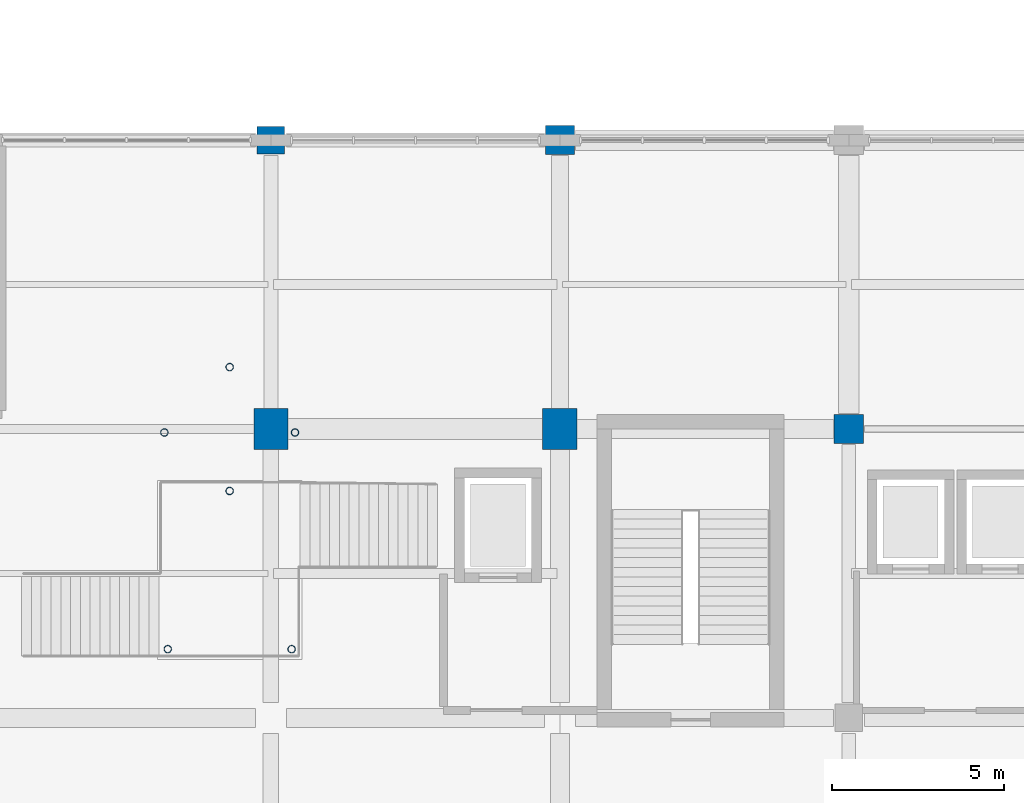
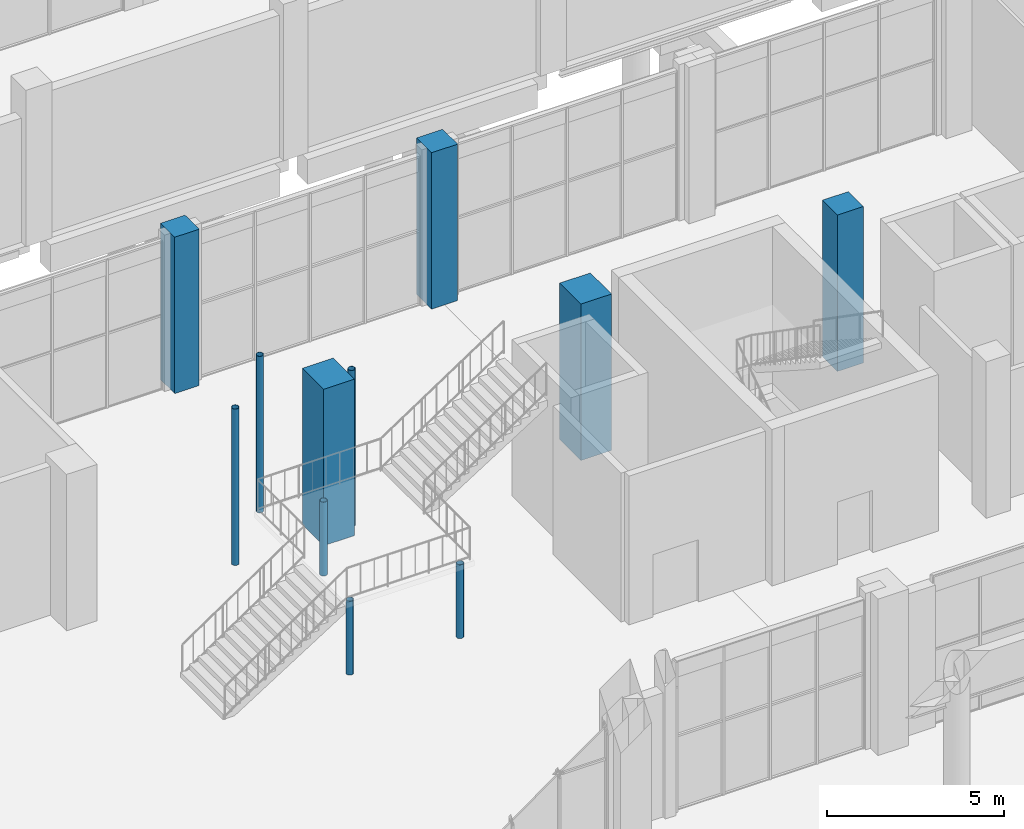
# One storey, part 10 of 82: 11 columns.
"""IFC4 building model written with IfcOpenShell, lengths in metres."""

from ifc_helpers import new_model, si_unit, derived_unit, direction, frame, origin, origin_2d, place, context, subcontext, project, spatial, rectangle, hollow_circle, extrude, material, material_profile, profile_set, type_object, element, save


model = new_model("IFC4")

# Units and contexts
model_context = context("Model", 3, precision=1e-05, world=origin(), true_north=direction((0.0, 1.0)))
body_context = subcontext(model_context, "Body", "Model", "MODEL_VIEW")
ifc_project = project(units=[si_unit("LENGTHUNIT", "METRE"), si_unit("AREAUNIT", "SQUARE_METRE"), si_unit("VOLUMEUNIT", "CUBIC_METRE"), si_unit("PLANEANGLEUNIT", "RADIAN"), si_unit("MASSUNIT", "GRAM", prefix="KILO"), derived_unit("THERMALTRANSMITTANCEUNIT", [(si_unit("POWERUNIT", "WATT"), 1), (si_unit("LENGTHUNIT", "METRE"), -2), (si_unit("THERMODYNAMICTEMPERATUREUNIT", "KELVIN"), -1)])], contexts=[model_context])

# Site, building, storey
site_placement = place(None, origin())
site = spatial("IfcSite", under=ifc_project, at=site_placement, CompositionType="ELEMENT")
building_placement = place(site_placement, origin())
building = spatial("IfcBuilding", under=site, at=building_placement, Name="Barrovel Congress Hotel", CompositionType="ELEMENT")
storey_placement = place(building_placement, origin())
storey = spatial("IfcBuildingStorey", under=building, at=storey_placement, Name="L00", CompositionType="ELEMENT", Elevation=0.0)

# Columns
ifc_material_1 = material(Name="Concrete C50", Category="concrete")
ifc_material_profile_1 = material_profile(ifc_material_1, rectangle(XDim=1.0, YDim=1.199951171875, at=origin_2d()), Name="RC1000x1200")
ifc_profile_set_1 = profile_set([ifc_material_profile_1], Name="Concrete C50")
column_type_1 = type_object("IfcColumnType", Name="COL-RC1000x1200", PredefinedType="COLUMN", material=ifc_profile_set_1)
for number, where, z_axis, x_axis, name in (
    (1, (67.199951171875, 21.0, 0.0), (0.0, 0.0, 1.0), (1.0, 0.0, 0.0), "COL:L00:67.2:21.0"),
    (2, (75.60009765625, 21.0, 0.0), (0.0, 0.0, 1.0), (1.0, 0.0, 0.0), "COL:L00:75.6:21.0"),
):
    element("IfcColumn", number, at=place(storey_placement, frame(where, z_axis=z_axis, x_axis=x_axis)), inside=storey, type_object=column_type_1, Name=name, PredefinedType="COLUMN", context=body_context, shape_type="SweptSolid", body=[
        extrude(rectangle(XDim=1.0, YDim=1.199951171875, at=origin_2d()), origin(), (0.0, 0.0, 1.0), 5.39990234375),
    ])
ifc_material_2 = material(Name="Concrete C40", Category="concrete")
ifc_material_profile_2 = material_profile(ifc_material_2, rectangle(XDim=0.800048828125, YDim=0.800048828125, at=origin_2d()), Name="RC800x800")
ifc_profile_set_2 = profile_set([ifc_material_profile_2], Name="Concrete C40")
column_type_2 = type_object("IfcColumnType", Name="COL-RC800x800", PredefinedType="COLUMN", material=ifc_profile_set_2)
column_placement = place(storey_placement, frame((67.199951171875, 29.39990234375, 0.0), z_axis=(0.0, 0.0, 1.0), x_axis=(1.0, 0.0, 0.0)))
element("IfcColumn", 3, at=column_placement, inside=storey, type_object=column_type_2, Name="COL:L00:67.2:29.4", PredefinedType="COLUMN", context=body_context, shape_type="SweptSolid", body=[
    extrude(rectangle(XDim=0.800048828125, YDim=0.800048828125, at=origin_2d()), origin(), (0.0, 0.0, 1.0), 5.39990234375),
])
ifc_material_profile_3 = material_profile(ifc_material_2, rectangle(XDim=0.85009765625, YDim=0.85009765625, at=origin_2d()), Name="RC850x850")
ifc_profile_set_3 = profile_set([ifc_material_profile_3], Name="Concrete C40")
column_type_3 = type_object("IfcColumnType", Name="COL-RC850x850", PredefinedType="COLUMN", material=ifc_profile_set_3)
for number, where, z_axis, x_axis, name in (
    (4, (75.60009765625, 29.39990234375, 0.0), (0.0, 0.0, 1.0), (1.0, 0.0, 0.0), "COL:L00:75.6:29.4"),
    (5, (84.0, 21.0, 0.0), (0.0, 0.0, 1.0), (1.0, 0.0, 0.0), "COL:L00:84.0:21.0"),
):
    element("IfcColumn", number, at=place(storey_placement, frame(where, z_axis=z_axis, x_axis=x_axis)), inside=storey, type_object=column_type_3, Name=name, PredefinedType="COLUMN", context=body_context, shape_type="SweptSolid", body=[
        extrude(rectangle(XDim=0.85009765625, YDim=0.85009765625, at=origin_2d()), origin(), (0.0, 0.0, 1.0), 5.39990234375),
    ])
ifc_material_3 = material(Name="Steel ASTM A500 Grade C", Category="steel")
ifc_material_profile_4 = material_profile(ifc_material_3, hollow_circle(Radius=0.109619140625, WallThickness=0.0087890625, at=origin_2d()), Name="CHS219.1x9.5")
ifc_profile_set_4 = profile_set([ifc_material_profile_4], Name="Steel ASTM A500 Grade C")
column_type_4 = type_object("IfcColumnType", Name="SCOL-CHS219.1x9.5", PredefinedType="COLUMN", material=ifc_profile_set_4)
for number, where, z_axis, x_axis, name in (
    (6, (64.199951171875, 14.60009765625, 0.0), (0.0, 0.0, 1.0), (1.0, 0.0, 0.0), "COL:ATR-LDG1:L00:1"),
    (7, (67.800048828125, 14.60009765625, 0.0), (0.0, 0.0, 1.0), (1.0, 0.0, 0.0), "COL:ATR-LDG1:L00:2"),
    (8, (66.0, 19.199951171875, 0.0), (0.0, 0.0, 1.0), (1.0, 0.0, 0.0), "COL:ATR-LDG1:L00:3"),
):
    element("IfcColumn", number, at=place(storey_placement, frame(where, z_axis=z_axis, x_axis=x_axis)), inside=storey, type_object=column_type_4, Name=name, PredefinedType="COLUMN", context=body_context, shape_type="SweptSolid", body=[
        extrude(hollow_circle(Radius=0.109619140625, WallThickness=0.0087890625, at=origin_2d()), origin(), (0.0, 0.0, 1.0), 2.550048828125),
    ])
for number, where, z_axis, x_axis, name in (
    (9, (64.10009765625, 20.89990234375, 0.0), (0.0, 0.0, 1.0), (1.0, 0.0, 0.0), "COL:ATR-LDG2:L00:1"),
    (10, (67.89990234375, 20.89990234375, 0.0), (0.0, 0.0, 1.0), (1.0, 0.0, 0.0), "COL:ATR-LDG2:L00:2"),
    (11, (66.0, 22.800048828125, 0.0), (0.0, 0.0, 1.0), (1.0, 0.0, 0.0), "COL:ATR-LDG2:L00:3"),
):
    element("IfcColumn", number, at=place(storey_placement, frame(where, z_axis=z_axis, x_axis=x_axis)), inside=storey, type_object=column_type_4, Name=name, PredefinedType="COLUMN", context=body_context, shape_type="SweptSolid", body=[
        extrude(hollow_circle(Radius=0.109619140625, WallThickness=0.0087890625, at=origin_2d()), origin(), (0.0, 0.0, 1.0), 5.39990234375),
    ])

save(model, "model.ifc")
